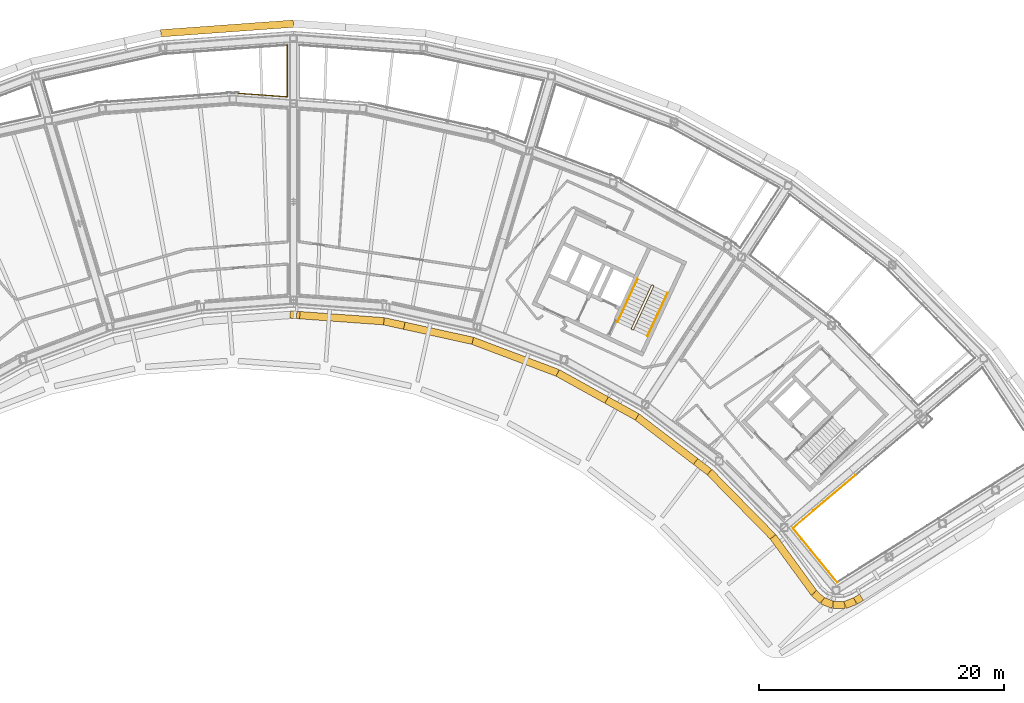
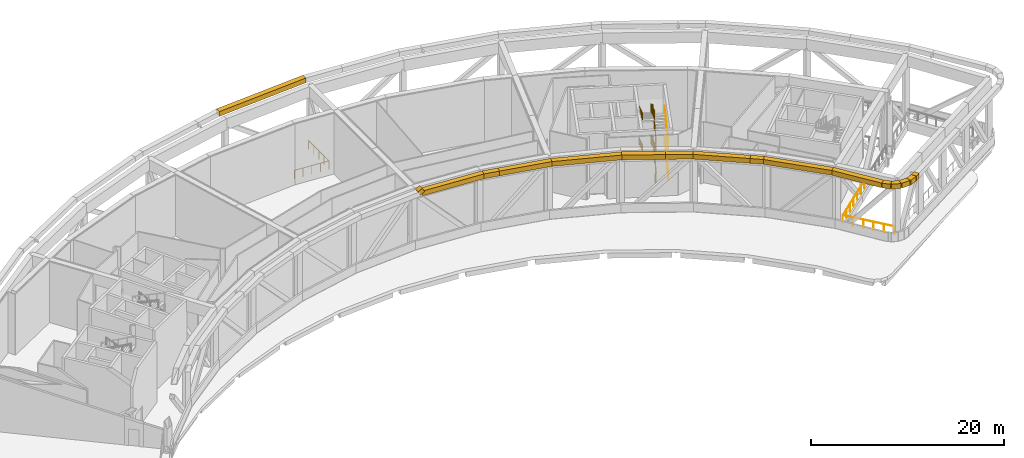
# One storey, part 23 of 27: 17 coverings, 8 railings.
"""IFC4 building model written with IfcOpenShell, lengths in metres."""

import ifcopenshell
import ifcopenshell.guid

model = None  # the IFC model being written
_history = None  # IfcOwnerHistory: only IFC2X3 demands one
_inside = {}  # id of a spatial element -> (the spatial element, [elements in it])
_under = {}  # id of a project, library or spatial element -> (it, [spatial elements below it])
_declared = {}  # id of a project -> (the project, [libraries it declares])
_typed = {}  # id of a type object -> (the type object, [elements of that type])
_made_of = {}  # id of a material, layer set ... -> (it, [elements and type objects made of it])


def new_model(schema):
    """Start an empty IFC model of exactly this schema.

    Asked for "IFC4X3", IfcOpenShell would pick the latest addendum, in which some entities
    have other attributes; the version numbers below select the first issue.
    IFC2X3 requires an IfcOwnerHistory on every rooted entity: one is made here for all.
    """
    global model, _history
    if schema == "IFC4X3":
        model = ifcopenshell.file(schema_version=(4, 3, 0, 0))
    else:
        model = ifcopenshell.file(schema=schema)
    _inside.clear()
    _under.clear()
    _declared.clear()
    _typed.clear()
    _made_of.clear()
    _history = None
    if model.schema == "IFC2X3":
        org = make("IfcOrganization", Name="unknown")
        user = make(
            "IfcPersonAndOrganization",
            ThePerson=make("IfcPerson", FamilyName="unknown"),
            TheOrganization=org,
        )
        app = make(
            "IfcApplication",
            ApplicationDeveloper=org,
            Version="unknown",
            ApplicationFullName="unknown",
            ApplicationIdentifier="unknown",
        )
        _history = make(
            "IfcOwnerHistory",
            OwningUser=user,
            OwningApplication=app,
            ChangeAction="ADDED",
            CreationDate=0,
        )
    return model


def make(cls, **values):
    """One entity of the class cls with the attributes given. An attribute that is None is left unset."""
    return model.create_entity(
        cls, **{name: value for name, value in values.items() if value is not None}
    )


def rooted(cls, **values):
    """An entity with a GlobalId (a new one), such as an element, a storey or a relation."""
    return make(cls, GlobalId=ifcopenshell.guid.new(), OwnerHistory=_history, **values)


def si_unit(unit_type, name, prefix=None):
    """IfcSIUnit, for example si_unit("LENGTHUNIT", "METRE", prefix="MILLI")."""
    return make("IfcSIUnit", UnitType=unit_type, Prefix=prefix, Name=name)


def assignment(units):
    """IfcUnitAssignment: the units of a project."""
    return None if units is None else make("IfcUnitAssignment", Units=units)


def point(xyz):
    """IfcCartesianPoint."""
    return None if xyz is None else make("IfcCartesianPoint", Coordinates=xyz)


def direction(xyz):
    """IfcDirection."""
    return None if xyz is None else make("IfcDirection", DirectionRatios=xyz)


def frame(location, z_axis=None, x_axis=None):
    """IfcAxis2Placement3D, a coordinate frame: its origin and axes. An axis left out is left unset."""
    return make(
        "IfcAxis2Placement3D",
        Location=point(location),
        Axis=direction(z_axis),
        RefDirection=direction(x_axis),
    )


def frame_2d(location, x_axis=None):
    """IfcAxis2Placement2D, a coordinate frame in the plane: its origin and x axis."""
    return make(
        "IfcAxis2Placement2D", Location=point(location), RefDirection=direction(x_axis)
    )


def origin():
    """The frame at (0, 0, 0) with its axes left unset."""
    return frame((0.0, 0.0, 0.0))


def origin_2d():
    """The frame at (0, 0) in the plane with its x axis left unset."""
    return frame_2d((0.0, 0.0))


def place(relative_to, where):
    """IfcLocalPlacement: puts the frame where relative to a parent placement (None: the world)."""
    return make(
        "IfcLocalPlacement", PlacementRelTo=relative_to, RelativePlacement=where
    )


def context(
    kind, dimensions, precision=None, world=None, true_north=None, identifier=None
):
    """IfcGeometricRepresentationContext, for example the 3D "Model" context."""
    return make(
        "IfcGeometricRepresentationContext",
        ContextIdentifier=identifier,
        ContextType=kind,
        CoordinateSpaceDimension=dimensions,
        Precision=precision,
        WorldCoordinateSystem=world,
        TrueNorth=true_north,
    )


def subcontext(parent, identifier, kind, view, scale=None):
    """IfcGeometricRepresentationSubContext, for example "Body" below "Model"."""
    return make(
        "IfcGeometricRepresentationSubContext",
        ContextIdentifier=identifier,
        ContextType=kind,
        ParentContext=parent,
        TargetScale=scale,
        TargetView=view,
    )


def project(units=None, contexts=None):
    """IfcProject with its units and contexts."""
    return rooted(
        "IfcProject",
        Name="project",
        RepresentationContexts=contexts,
        UnitsInContext=assignment(units),
    )


def spatial(cls, under=None, at=None, **own):
    """A site, building, storey or space (cls), placed at a placement, below another one or the project."""
    s = rooted(cls, ObjectPlacement=at, **own)
    if under is not None:
        _under.setdefault(under.id(), (under, []))[1].append(s)
    return s


def profile(cls, at=None, kind="AREA", **sizes):
    """A parametric profile (cls). Its sizes go by their IFC names, for example OverallWidth=200.0."""
    return make(cls, ProfileType=kind, Position=at, **sizes)


def rectangle(**sizes):
    """IfcRectangleProfileDef."""
    return profile("IfcRectangleProfileDef", **sizes)


def circle(**sizes):
    """IfcCircleProfileDef."""
    return profile("IfcCircleProfileDef", **sizes)


def extrude(swept, where, along, depth):
    """IfcExtrudedAreaSolid: the profile swept, set in the frame where, extruded along a direction by depth."""
    return make(
        "IfcExtrudedAreaSolid",
        SweptArea=swept,
        Position=where,
        ExtrudedDirection=direction(along),
        Depth=depth,
    )


def shape(context_of_items, identifier, shape_type, items):
    """IfcShapeRepresentation: the items that make up one representation, for example the "Body"."""
    return make(
        "IfcShapeRepresentation",
        ContextOfItems=context_of_items,
        RepresentationIdentifier=identifier,
        RepresentationType=shape_type,
        Items=items,
    )


def material(Name=None, Category=None):
    """IfcMaterial."""
    return make("IfcMaterial", Name=Name, Category=Category)


def material_profile(
    of_material, cross_section, Name=None, Category=None, Priority=None
):
    """IfcMaterialProfile: a cross section and its material."""
    return make(
        "IfcMaterialProfile",
        Name=Name,
        Material=of_material,
        Profile=cross_section,
        Priority=Priority,
        Category=Category,
    )


def profile_set(profiles, Name=None, composite=None):
    """IfcMaterialProfileSet."""
    return make(
        "IfcMaterialProfileSet",
        Name=Name,
        MaterialProfiles=profiles,
        CompositeProfile=composite,
    )


def made_of(thing, what):
    """Note that an element or type object is made of a material, layer set ...; save() writes the relation."""
    if what is not None:
        _made_of.setdefault(what.id(), (what, []))[1].append(thing)
    return thing


def type_object(cls, material=None, **own):
    """A type object (cls), such as IfcWallType, which elements share."""
    return made_of(rooted(cls, **own), material)


def element(
    cls,
    number,
    at=None,
    inside=None,
    cuts=None,
    type_object=None,
    material=None,
    context=None,
    identifier="Body",
    shape_type=None,
    held_by="IfcProductDefinitionShape",
    body=None,
    shapes=None,
    **own,
):
    """One element of the class cls, such as IfcWall. Its Tag is "e" and its number.

    at: its placement. inside: the storey or other place that contains it. cuts: it is an
    opening in that element (IfcRelVoidsElement). A single representation is given by context,
    identifier, shape_type and body (its items); several are given by shapes. held_by: the class
    of the entity that holds the representations. save() writes the other relations.
    """
    e = rooted(cls, Tag="e%d" % number, ObjectPlacement=at, **own)
    if body is not None:
        shapes = [shape(context, identifier, shape_type, body)]
    if shapes is not None:
        e.Representation = make(held_by, Representations=shapes)
    if inside is not None:
        _inside.setdefault(inside.id(), (inside, []))[1].append(e)
    if cuts is not None:
        rooted(
            "IfcRelVoidsElement", RelatingBuildingElement=cuts, RelatedOpeningElement=e
        )
    if type_object is not None:
        _typed.setdefault(type_object.id(), (type_object, []))[1].append(e)
    return made_of(e, material)


def aggregate(whole, parts):
    """IfcRelAggregates: a whole, such as a stair, and the parts it consists of."""
    return rooted("IfcRelAggregates", RelatingObject=whole, RelatedObjects=parts)


def save(model, path):
    """Write the relations noted so far, then the file.

    IfcRelAggregates (storeys below a building ...), IfcRelContainedInSpatialStructure (elements
    in a storey), IfcRelDefinesByType, IfcRelAssociatesMaterial and IfcRelDeclares: one each for
    every whole, place, type object, material and project.
    """
    for whole, parts in _under.values():
        aggregate(whole, parts)
    for where, things in _inside.values():
        rooted(
            "IfcRelContainedInSpatialStructure",
            RelatedElements=things,
            RelatingStructure=where,
        )
    for kind, things in _typed.values():
        rooted("IfcRelDefinesByType", RelatedObjects=things, RelatingType=kind)
    for what, things in _made_of.values():
        rooted("IfcRelAssociatesMaterial", RelatedObjects=things, RelatingMaterial=what)
    for by, libraries in _declared.values():
        rooted("IfcRelDeclares", RelatingContext=by, RelatedDefinitions=libraries)
    model.write(path)


model = new_model("IFC4")

# Units and contexts
model_context = context("Model", 3, precision=1e-05, world=origin(), true_north=direction((0.0, 1.0)))
body_context = subcontext(model_context, "Body", "Model", "MODEL_VIEW")
ifc_project = project(units=[si_unit("LENGTHUNIT", "METRE"), si_unit("AREAUNIT", "SQUARE_METRE"), si_unit("VOLUMEUNIT", "CUBIC_METRE"), si_unit("PLANEANGLEUNIT", "RADIAN"), si_unit("MASSUNIT", "GRAM", prefix="KILO")], contexts=[model_context])

# Site, building, storey
site_placement = place(None, origin())
site = spatial("IfcSite", under=ifc_project, at=site_placement, CompositionType="ELEMENT")
building_placement = place(site_placement, origin())
building = spatial("IfcBuilding", under=site, at=building_placement, Name="Tuul Gate Civic Tower", CompositionType="ELEMENT")
storey_placement = place(building_placement, frame((0.0, 0.0, 201.5)))
storey = spatial("IfcBuildingStorey", under=building, at=storey_placement, Name="Wind floor 1", CompositionType="ELEMENT", Elevation=201.5)

# Railings
ifc_material_1 = material(Name="Painted steel", Category="steel")
railing_type_1 = type_object("IfcRailingType", Name="Slot guard", PredefinedType="GUARDRAIL", material=ifc_material_1)
railing_1_placement = place(storey_placement, frame((1.45751953125, 14.08349609375, 0.0)))
element("IfcRailing", 1, at=railing_1_placement, inside=storey, type_object=railing_type_1, Name="Guard", PredefinedType="GUARDRAIL", context=body_context, shape_type="SweptSolid", body=[
    extrude(circle(Radius=0.02392578125, at=origin_2d()), frame((0.0, 0.0, 1.076171875), z_axis=(0.997380514411, -0.072333322005, 0.0), x_axis=(0.072333322005, 0.997380514411, 0.0)), (0.0, 0.0, 1.0), 3.992919921875),
    extrude(circle(Radius=0.02392578125, at=origin_2d()), frame((3.982421875, -0.288818359375, 1.076171875), z_axis=(0.0, 1.0, 0.0), x_axis=(-1.0, 0.0, 0.0)), (0.0, 0.0, 1.0), 4.23291015625),
    extrude(circle(Radius=0.02099609375, at=origin_2d()), origin(), (0.0, 0.0, 1.0), 1.052001953125),
    extrude(circle(Radius=0.02099609375, at=origin_2d()), frame((0.99560546875, -0.072265625, 0.0)), (0.0, 0.0, 1.0), 1.052001953125),
    extrude(circle(Radius=0.02099609375, at=origin_2d()), frame((1.9912109375, -0.14453125, 0.0)), (0.0, 0.0, 1.0), 1.052001953125),
    extrude(circle(Radius=0.02099609375, at=origin_2d()), frame((2.98681640625, -0.216552734375, 0.0)), (0.0, 0.0, 1.0), 1.052001953125),
    extrude(circle(Radius=0.02099609375, at=origin_2d()), frame((3.982421875, -0.288818359375, 0.0)), (0.0, 0.0, 1.0), 1.052001953125),
    extrude(circle(Radius=0.02099609375, at=origin_2d()), frame((3.982421875, 0.76953125, 0.0)), (0.0, 0.0, 1.0), 1.052001953125),
    extrude(circle(Radius=0.02099609375, at=origin_2d()), frame((3.982421875, 1.82763671875, 0.0)), (0.0, 0.0, 1.0), 1.052001953125),
    extrude(circle(Radius=0.02099609375, at=origin_2d()), frame((3.982421875, 2.8857421875, 0.0)), (0.0, 0.0, 1.0), 1.052001953125),
    extrude(circle(Radius=0.02099609375, at=origin_2d()), frame((3.982421875, 3.944091796875, 0.0)), (0.0, 0.0, 1.0), 1.052001953125),
])
railing_2_placement = place(storey_placement, frame((51.8232421875, -17.09619140625, 0.0)))
element("IfcRailing", 2, at=railing_2_placement, inside=storey, type_object=railing_type_1, Name="Guard", PredefinedType="GUARDRAIL", context=body_context, shape_type="SweptSolid", body=[
    extrude(circle(Radius=0.02392578125, at=origin_2d()), frame((0.0, 0.0, 1.076171875), z_axis=(-0.762828176883, -0.646601246947, 0.0), x_axis=(0.646601246947, -0.762828176883, 0.0)), (0.0, 0.0, 1.0), 6.690185546875),
    extrude(circle(Radius=0.02099609375, at=origin_2d()), origin(), (0.0, 0.0, 1.0), 1.052001953125),
    extrude(circle(Radius=0.02099609375, at=origin_2d()), frame((-0.8505859375, -0.720947265625, 0.0)), (0.0, 0.0, 1.0), 1.052001953125),
    extrude(circle(Radius=0.02099609375, at=origin_2d()), frame((-1.701171875, -1.44189453125, 0.0)), (0.0, 0.0, 1.0), 1.052001953125),
    extrude(circle(Radius=0.02099609375, at=origin_2d()), frame((-2.5517578125, -2.1630859375, 0.0)), (0.0, 0.0, 1.0), 1.052001953125),
    extrude(circle(Radius=0.02099609375, at=origin_2d()), frame((-3.40234375, -2.884033203125, 0.0)), (0.0, 0.0, 1.0), 1.052001953125),
    extrude(circle(Radius=0.02099609375, at=origin_2d()), frame((-4.2529296875, -3.60498046875, 0.0)), (0.0, 0.0, 1.0), 1.052001953125),
    extrude(circle(Radius=0.02099609375, at=origin_2d()), frame((-5.103515625, -4.325927734375, 0.0)), (0.0, 0.0, 1.0), 1.052001953125),
])
railing_3_placement = place(storey_placement, frame((46.7197265625, -21.422119140625, 0.0)))
element("IfcRailing", 3, at=railing_3_placement, inside=storey, type_object=railing_type_1, Name="Guard", PredefinedType="GUARDRAIL", context=body_context, shape_type="SweptSolid", body=[
    extrude(circle(Radius=0.02392578125, at=origin_2d()), frame((0.0, 0.0, 1.076171875), z_axis=(0.634371561759, -0.773028279969, 0.0), x_axis=(0.773028279969, 0.634371561759, 0.0)), (0.0, 0.0, 1.0), 5.718994140625),
    extrude(circle(Radius=0.02099609375, at=origin_2d()), origin(), (0.0, 0.0, 1.0), 1.052001953125),
    extrude(circle(Radius=0.02099609375, at=origin_2d()), frame((0.7255859375, -0.88427734375, 0.0)), (0.0, 0.0, 1.0), 1.052001953125),
    extrude(circle(Radius=0.02099609375, at=origin_2d()), frame((1.451171875, -1.768310546875, 0.0)), (0.0, 0.0, 1.0), 1.052001953125),
    extrude(circle(Radius=0.02099609375, at=origin_2d()), frame((2.1767578125, -2.652587890625, 0.0)), (0.0, 0.0, 1.0), 1.052001953125),
    extrude(circle(Radius=0.02099609375, at=origin_2d()), frame((2.90234375, -3.53662109375, 0.0)), (0.0, 0.0, 1.0), 1.052001953125),
    extrude(circle(Radius=0.02099609375, at=origin_2d()), frame((3.6279296875, -4.4208984375, 0.0)), (0.0, 0.0, 1.0), 1.052001953125),
])
ifc_material_2 = material(Name="Painted steel", Category="steel")
railing_type_2 = type_object("IfcRailingType", Name="Stair guard", PredefinedType="GUARDRAIL", material=ifc_material_2)
railing_4_placement = place(storey_placement, frame((33.645751953125, -5.238525390625, 0.0)))
element("IfcRailing", 4, at=railing_4_placement, inside=storey, type_object=railing_type_2, Name="Wind floor 1 ST-4 stair guard 1", PredefinedType="GUARDRAIL", context=body_context, shape_type="SweptSolid", body=[
    extrude(circle(Radius=0.02392578125, at=origin_2d()), frame((0.0, 0.0, 1.076171875), z_axis=(-0.906307919131, 0.422617978463, 0.0), x_axis=(-0.422617978463, -0.906307919131, 0.0)), (0.0, 0.0, 1.0), 0.099853515625),
    extrude(circle(Radius=0.02392578125, at=origin_2d()), frame((-0.090576171875, 0.042236328125, 1.076171875), z_axis=(0.737014185755, -0.084819673011, 0.670533901504), x_axis=(0.114330889033, 0.993442724979, 0.0)), (0.0, 0.0, 1.0), 0.212890625),
    extrude(circle(Radius=0.02392578125, at=origin_2d()), frame((0.06640625, 0.024169921875, 1.21875), z_axis=(0.381507307837, 0.818290785608, 0.429944606031), x_axis=(-0.906336612539, 0.422556439746, 0.0)), (0.0, 0.0, 1.0), 4.319580078125),
    extrude(circle(Radius=0.02392578125, at=origin_2d()), frame((1.71435546875, 3.558837890625, 3.076171875), z_axis=(-0.342020437038, 0.939692513883, 0.0), x_axis=(-0.939692513883, -0.342020437038, 0.0)), (0.0, 0.0, 1.0), 0.070556640625),
    extrude(circle(Radius=0.02392578125, at=origin_2d()), frame((1.690185546875, 3.625244140625, 3.076171875), z_axis=(-0.906307919131, 0.422617978463, 0.0), x_axis=(-0.422617978463, -0.906307919131, 0.0)), (0.0, 0.0, 1.0), 0.099853515625),
    extrude(circle(Radius=0.02392578125, at=origin_2d()), frame((1.599609375, 3.66748046875, 3.076171875), z_axis=(-0.416734069648, -0.151678944468, 0.896284671854), x_axis=(0.342020437038, -0.939692513883, 0.0)), (0.0, 0.0, 1.0), 0.159423828125),
    extrude(circle(Radius=0.02392578125, at=origin_2d()), frame((1.533203125, 3.643310546875, 3.21875), z_axis=(-0.381507307837, -0.818290785608, 0.429944606031), x_axis=(0.906336612539, -0.422556439746, 0.0)), (0.0, 0.0, 1.0), 4.319580078125),
    extrude(circle(Radius=0.02392578125, at=origin_2d()), frame((-0.11474609375, 0.108642578125, 5.076171875), z_axis=(0.726155646563, -0.687530346214, 0.0), x_axis=(0.687530346214, 0.726155646563, 0.0)), (0.0, 0.0, 1.0), 0.157958984375),
    extrude(circle(Radius=0.02392578125, at=origin_2d()), frame((0.0, 0.0, 5.076171875), z_axis=(-0.906307919131, 0.422617978463, 0.0), x_axis=(-0.422617978463, -0.906307919131, 0.0)), (0.0, 0.0, 1.0), 0.099853515625),
    extrude(circle(Radius=0.02392578125, at=origin_2d()), frame((-0.090576171875, 0.042236328125, 5.076171875), z_axis=(0.737014185755, -0.084819673011, 0.670533901504), x_axis=(0.114330889033, 0.993442724979, 0.0)), (0.0, 0.0, 1.0), 0.212890625),
    extrude(circle(Radius=0.02392578125, at=origin_2d()), frame((0.06640625, 0.024169921875, 5.21875), z_axis=(0.381507307837, 0.818290785608, 0.429944606031), x_axis=(-0.906336612539, 0.422556439746, 0.0)), (0.0, 0.0, 1.0), 4.319580078125),
    extrude(circle(Radius=0.02392578125, at=origin_2d()), frame((1.71435546875, 3.558837890625, 7.076171875), z_axis=(-0.342020437038, 0.939692513883, 0.0), x_axis=(-0.939692513883, -0.342020437038, 0.0)), (0.0, 0.0, 1.0), 0.070556640625),
    extrude(circle(Radius=0.02392578125, at=origin_2d()), frame((1.690185546875, 3.625244140625, 7.076171875), z_axis=(-0.906307919131, 0.422617978463, 0.0), x_axis=(-0.422617978463, -0.906307919131, 0.0)), (0.0, 0.0, 1.0), 0.099853515625),
    extrude(circle(Radius=0.02392578125, at=origin_2d()), frame((1.599609375, 3.66748046875, 7.076171875), z_axis=(-0.416734069648, -0.151678944468, 0.896284671854), x_axis=(0.342020437038, -0.939692513883, 0.0)), (0.0, 0.0, 1.0), 0.159423828125),
    extrude(circle(Radius=0.02392578125, at=origin_2d()), frame((1.533203125, 3.643310546875, 7.21875), z_axis=(-0.381507307837, -0.818290785608, 0.429944606031), x_axis=(0.906336612539, -0.422556439746, 0.0)), (0.0, 0.0, 1.0), 4.319580078125),
    extrude(circle(Radius=0.02099609375, at=origin_2d()), origin(), (0.0, 0.0, 1.0), 1.052001953125),
    extrude(circle(Radius=0.02099609375, at=origin_2d()), frame((-0.090576171875, 0.042236328125, 0.0)), (0.0, 0.0, 1.0), 1.052001953125),
    extrude(circle(Radius=0.02099609375, at=origin_2d()), frame((0.06640625, 0.024169921875, 0.142822265625)), (0.0, 0.0, 1.0), 1.052001953125),
    extrude(circle(Radius=0.02099609375, at=origin_2d()), frame((0.478515625, 0.90771484375, 0.607177734375)), (0.0, 0.0, 1.0), 1.052001953125),
    extrude(circle(Radius=0.02099609375, at=origin_2d()), frame((0.890380859375, 1.79150390625, 1.0712890625)), (0.0, 0.0, 1.0), 1.052001953125),
    extrude(circle(Radius=0.02099609375, at=origin_2d()), frame((1.30224609375, 2.67529296875, 1.53564453125)), (0.0, 0.0, 1.0), 1.052001953125),
    extrude(circle(Radius=0.02099609375, at=origin_2d()), frame((1.71435546875, 3.558837890625, 2.0)), (0.0, 0.0, 1.0), 1.052001953125),
    extrude(circle(Radius=0.02099609375, at=origin_2d()), frame((1.690185546875, 3.625244140625, 2.0)), (0.0, 0.0, 1.0), 1.052001953125),
    extrude(circle(Radius=0.02099609375, at=origin_2d()), frame((1.599609375, 3.66748046875, 2.0)), (0.0, 0.0, 1.0), 1.052001953125),
    extrude(circle(Radius=0.02099609375, at=origin_2d()), frame((1.533203125, 3.643310546875, 2.142822265625)), (0.0, 0.0, 1.0), 1.052001953125),
    extrude(circle(Radius=0.02099609375, at=origin_2d()), frame((1.12109375, 2.759765625, 2.607177734375)), (0.0, 0.0, 1.0), 1.052001953125),
    extrude(circle(Radius=0.02099609375, at=origin_2d()), frame((0.709228515625, 1.8759765625, 3.0712890625)), (0.0, 0.0, 1.0), 1.052001953125),
    extrude(circle(Radius=0.02099609375, at=origin_2d()), frame((0.29736328125, 0.9921875, 3.53564453125)), (0.0, 0.0, 1.0), 1.052001953125),
    extrude(circle(Radius=0.02099609375, at=origin_2d()), frame((-0.11474609375, 0.108642578125, 4.0)), (0.0, 0.0, 1.0), 1.052001953125),
    extrude(circle(Radius=0.02099609375, at=origin_2d()), frame((0.0, 0.0, 4.0)), (0.0, 0.0, 1.0), 1.052001953125),
    extrude(circle(Radius=0.02099609375, at=origin_2d()), frame((-0.090576171875, 0.042236328125, 4.0)), (0.0, 0.0, 1.0), 1.052001953125),
    extrude(circle(Radius=0.02099609375, at=origin_2d()), frame((0.06640625, 0.024169921875, 4.142822265625)), (0.0, 0.0, 1.0), 1.052001953125),
    extrude(circle(Radius=0.02099609375, at=origin_2d()), frame((0.478515625, 0.90771484375, 4.607177734375)), (0.0, 0.0, 1.0), 1.052001953125),
    extrude(circle(Radius=0.02099609375, at=origin_2d()), frame((0.890380859375, 1.79150390625, 5.0712890625)), (0.0, 0.0, 1.0), 1.052001953125),
    extrude(circle(Radius=0.02099609375, at=origin_2d()), frame((1.30224609375, 2.67529296875, 5.53564453125)), (0.0, 0.0, 1.0), 1.052001953125),
    extrude(circle(Radius=0.02099609375, at=origin_2d()), frame((1.71435546875, 3.558837890625, 6.0)), (0.0, 0.0, 1.0), 1.052001953125),
    extrude(circle(Radius=0.02099609375, at=origin_2d()), frame((1.690185546875, 3.625244140625, 6.0)), (0.0, 0.0, 1.0), 1.052001953125),
    extrude(circle(Radius=0.02099609375, at=origin_2d()), frame((1.599609375, 3.66748046875, 6.0)), (0.0, 0.0, 1.0), 1.052001953125),
    extrude(circle(Radius=0.02099609375, at=origin_2d()), frame((1.533203125, 3.643310546875, 6.142822265625)), (0.0, 0.0, 1.0), 1.052001953125),
    extrude(circle(Radius=0.02099609375, at=origin_2d()), frame((1.12109375, 2.759765625, 6.607177734375)), (0.0, 0.0, 1.0), 1.052001953125),
    extrude(circle(Radius=0.02099609375, at=origin_2d()), frame((0.709228515625, 1.8759765625, 7.0712890625)), (0.0, 0.0, 1.0), 1.052001953125),
    extrude(circle(Radius=0.02099609375, at=origin_2d()), frame((0.29736328125, 0.9921875, 7.53564453125)), (0.0, 0.0, 1.0), 1.052001953125),
    extrude(circle(Radius=0.02099609375, at=origin_2d()), frame((-0.11474609375, 0.108642578125, 8.0)), (0.0, 0.0, 1.0), 1.052001953125),
])
ifc_material_3 = material(Name="Painted steel", Category="steel")
railing_type_3 = type_object("IfcRailingType", Name="Stair handrail", PredefinedType="HANDRAIL", material=ifc_material_3)
railing_5_placement = place(storey_placement, frame((34.844970703125, -5.74267578125, 0.142822265625)))
element("IfcRailing", 5, at=railing_5_placement, inside=storey, type_object=railing_type_3, Name="Wind floor 1 ST-4 stair handrail 1", PredefinedType="HANDRAIL", context=body_context, shape_type="SweptSolid", body=[
    extrude(circle(Radius=0.02392578125, at=origin_2d()), frame((0.0, 0.0, 0.8759765625), z_axis=(0.381555599571, 0.818273140362, 0.429935334904), x_axis=(-0.906312636903, 0.422607861012, 0.0)), (0.0, 0.0, 1.0), 4.319580078125),
    extrude(circle(Radius=0.02099609375, at=origin_2d()), origin(), (0.0, 0.0, 1.0), 0.851806640625),
    extrude(circle(Radius=0.02099609375, at=origin_2d()), frame((0.412109375, 0.8837890625, 0.46435546875)), (0.0, 0.0, 1.0), 0.851806640625),
    extrude(circle(Radius=0.02099609375, at=origin_2d()), frame((0.82421875, 1.767333984375, 0.9287109375)), (0.0, 0.0, 1.0), 0.851806640625),
    extrude(circle(Radius=0.02099609375, at=origin_2d()), frame((1.236083984375, 2.65087890625, 1.392822265625)), (0.0, 0.0, 1.0), 0.851806640625),
    extrude(circle(Radius=0.02099609375, at=origin_2d()), frame((1.648193359375, 3.53466796875, 1.857177734375)), (0.0, 0.0, 1.0), 0.851806640625),
])
railing_6_placement = place(storey_placement, frame((34.046142578125, -1.06689453125, 2.142822265625)))
element("IfcRailing", 6, at=railing_6_placement, inside=storey, type_object=railing_type_3, Name="Wind floor 1 ST-4 stair handrail 2", PredefinedType="HANDRAIL", context=body_context, shape_type="SweptSolid", body=[
    extrude(circle(Radius=0.02392578125, at=origin_2d()), frame((0.0, 0.0, 0.8759765625), z_axis=(-0.381555599571, -0.818273140362, 0.429935334904), x_axis=(0.906312636903, -0.422607861012, 0.0)), (0.0, 0.0, 1.0), 4.319580078125),
    extrude(circle(Radius=0.02099609375, at=origin_2d()), origin(), (0.0, 0.0, 1.0), 0.851806640625),
    extrude(circle(Radius=0.02099609375, at=origin_2d()), frame((-0.412109375, -0.8837890625, 0.46435546875)), (0.0, 0.0, 1.0), 0.851806640625),
    extrude(circle(Radius=0.02099609375, at=origin_2d()), frame((-0.82421875, -1.767333984375, 0.9287109375)), (0.0, 0.0, 1.0), 0.851806640625),
    extrude(circle(Radius=0.02099609375, at=origin_2d()), frame((-1.236083984375, -2.65087890625, 1.392822265625)), (0.0, 0.0, 1.0), 0.851806640625),
    extrude(circle(Radius=0.02099609375, at=origin_2d()), frame((-1.648193359375, -3.53466796875, 1.857177734375)), (0.0, 0.0, 1.0), 0.851806640625),
])
railing_7_placement = place(storey_placement, frame((34.844970703125, -5.74267578125, 4.142822265625)))
element("IfcRailing", 7, at=railing_7_placement, inside=storey, type_object=railing_type_3, Name="Wind floor 1 ST-4 stair handrail 3", PredefinedType="HANDRAIL", context=body_context, shape_type="SweptSolid", body=[
    extrude(circle(Radius=0.02392578125, at=origin_2d()), frame((0.0, 0.0, 0.8759765625), z_axis=(0.381555599571, 0.818273140362, 0.429935334904), x_axis=(-0.906312636903, 0.422607861012, 0.0)), (0.0, 0.0, 1.0), 4.319580078125),
    extrude(circle(Radius=0.02099609375, at=origin_2d()), origin(), (0.0, 0.0, 1.0), 0.851806640625),
    extrude(circle(Radius=0.02099609375, at=origin_2d()), frame((0.412109375, 0.8837890625, 0.46435546875)), (0.0, 0.0, 1.0), 0.851806640625),
    extrude(circle(Radius=0.02099609375, at=origin_2d()), frame((0.82421875, 1.767333984375, 0.9287109375)), (0.0, 0.0, 1.0), 0.851806640625),
    extrude(circle(Radius=0.02099609375, at=origin_2d()), frame((1.236083984375, 2.65087890625, 1.392822265625)), (0.0, 0.0, 1.0), 0.851806640625),
    extrude(circle(Radius=0.02099609375, at=origin_2d()), frame((1.648193359375, 3.53466796875, 1.857177734375)), (0.0, 0.0, 1.0), 0.851806640625),
])
railing_8_placement = place(storey_placement, frame((34.046142578125, -1.06689453125, 6.142822265625)))
element("IfcRailing", 8, at=railing_8_placement, inside=storey, type_object=railing_type_3, Name="Wind floor 1 ST-4 stair handrail 4", PredefinedType="HANDRAIL", context=body_context, shape_type="SweptSolid", body=[
    extrude(circle(Radius=0.02392578125, at=origin_2d()), frame((0.0, 0.0, 0.8759765625), z_axis=(-0.381555599571, -0.818273140362, 0.429935334904), x_axis=(0.906312636903, -0.422607861012, 0.0)), (0.0, 0.0, 1.0), 4.319580078125),
    extrude(circle(Radius=0.02099609375, at=origin_2d()), origin(), (0.0, 0.0, 1.0), 0.851806640625),
    extrude(circle(Radius=0.02099609375, at=origin_2d()), frame((-0.412109375, -0.8837890625, 0.46435546875)), (0.0, 0.0, 1.0), 0.851806640625),
    extrude(circle(Radius=0.02099609375, at=origin_2d()), frame((-0.82421875, -1.767333984375, 0.9287109375)), (0.0, 0.0, 1.0), 0.851806640625),
    extrude(circle(Radius=0.02099609375, at=origin_2d()), frame((-1.236083984375, -2.65087890625, 1.392822265625)), (0.0, 0.0, 1.0), 0.851806640625),
    extrude(circle(Radius=0.02099609375, at=origin_2d()), frame((-1.648193359375, -3.53466796875, 1.857177734375)), (0.0, 0.0, 1.0), 0.851806640625),
])

# Coverings
ifc_material_4 = material(Name="Terracotta baguette", Category="masonry")
ifc_material_profile = material_profile(ifc_material_4, rectangle(XDim=0.60009765625, YDim=0.60009765625, at=origin_2d()), Name="Terracotta baguette screen frame")
ifc_profile_set = profile_set([ifc_material_profile], Name="Terracotta baguette")
covering_type = type_object("IfcCoveringType", Name="Terracotta baguette screen frame", PredefinedType="CLADDING", material=ifc_profile_set)
covering_1_placement = place(storey_placement, frame((5.93994140625, -3.993896484375, 8.147705078125), z_axis=(0.465086251389, -0.033840230978, -0.884618345693), x_axis=(0.072569349598, 0.997363368837, 0.0)))
element("IfcCovering", 9, at=covering_1_placement, inside=storey, type_object=covering_type, Name="Baguette 213", PredefinedType="CLADDING", context=body_context, shape_type="SweptSolid", body=[
    extrude(rectangle(XDim=0.60009765625, YDim=0.60009765625, at=origin_2d()), origin(), (0.0, 0.0, 1.0), 0.562744140625),
])
covering_2_placement = place(storey_placement, frame((6.20166015625, -4.012939453125, 7.64990234375), z_axis=(0.997395442814, -0.072127183871, 0.0), x_axis=(0.072127183871, 0.997395442814, 0.0)))
element("IfcCovering", 10, at=covering_2_placement, inside=storey, type_object=covering_type, Name="Baguette 220", PredefinedType="CLADDING", context=body_context, shape_type="SweptSolid", body=[
    extrude(rectangle(XDim=0.60009765625, YDim=0.60009765625, at=origin_2d()), origin(), (0.0, 0.0, 1.0), 7.155517578125),
])
covering_3_placement = place(storey_placement, frame((13.338623046875, -4.529052734375, 7.64990234375), z_axis=(0.976544694518, -0.215314791894, 0.0), x_axis=(0.215314791894, 0.976544694518, 0.0)))
element("IfcCovering", 11, at=covering_3_placement, inside=storey, type_object=covering_type, Name="Baguette 221", PredefinedType="CLADDING", context=body_context, shape_type="SweptSolid", body=[
    extrude(rectangle(XDim=0.60009765625, YDim=0.60009765625, at=origin_2d()), origin(), (0.0, 0.0, 1.0), 1.6962890625),
])
covering_4_placement = place(storey_placement, frame((31.51318359375, -10.962158203125, 7.64990234375), z_axis=(0.87458876364, -0.484865439596, 0.0), x_axis=(0.484865439596, 0.87458876364, 0.0)))
element("IfcCovering", 12, at=covering_4_placement, inside=storey, type_object=covering_type, Name="Baguette 240", PredefinedType="CLADDING", context=body_context, shape_type="SweptSolid", body=[
    extrude(rectangle(XDim=0.60009765625, YDim=0.60009765625, at=origin_2d()), origin(), (0.0, 0.0, 1.0), 2.853515625),
])
covering_5_placement = place(storey_placement, frame((34.0087890625, -12.345703125, 7.64990234375), z_axis=(0.795587724937, -0.605838404138, 0.0), x_axis=(0.605838404138, 0.795587724937, 0.0)))
element("IfcCovering", 13, at=covering_5_placement, inside=storey, type_object=covering_type, Name="Baguette 241", PredefinedType="CLADDING", context=body_context, shape_type="SweptSolid", body=[
    extrude(rectangle(XDim=0.60009765625, YDim=0.60009765625, at=origin_2d()), origin(), (0.0, 0.0, 1.0), 5.998291015625),
])
covering_6_placement = place(storey_placement, frame((5.93994140625, 19.76904296875, 7.64990234375), z_axis=(-0.997380681176, -0.072331022511, 0.0), x_axis=(0.072331022511, -0.997380681176, 0.0)))
element("IfcCovering", 14, at=covering_6_placement, inside=storey, type_object=covering_type, Name="Baguette 382", PredefinedType="CLADDING", context=body_context, shape_type="SweptSolid", body=[
    extrude(rectangle(XDim=0.60009765625, YDim=0.60009765625, at=origin_2d()), origin(), (0.0, 0.0, 1.0), 10.8515625),
])
covering_7_placement = place(storey_placement, frame((14.9951171875, -4.894287109375, 7.64990234375), z_axis=(0.97656309278, -0.215231330944, 0.0), x_axis=(0.215231330944, 0.97656309278, 0.0)))
element("IfcCovering", 15, at=covering_7_placement, inside=storey, type_object=covering_type, Name="Baguette 397", PredefinedType="CLADDING", context=body_context, shape_type="SweptSolid", body=[
    extrude(rectangle(XDim=0.60009765625, YDim=0.60009765625, at=origin_2d()), origin(), (0.0, 0.0, 1.0), 5.721435546875),
])
covering_8_placement = place(storey_placement, frame((20.58251953125, -6.125732421875, 7.64990234375), z_axis=(0.935368082117, -0.353675770951, 0.0), x_axis=(0.353675770951, 0.935368082117, 0.0)))
element("IfcCovering", 16, at=covering_8_placement, inside=storey, type_object=covering_type, Name="Baguette 398", PredefinedType="CLADDING", context=body_context, shape_type="SweptSolid", body=[
    extrude(rectangle(XDim=0.60009765625, YDim=0.60009765625, at=origin_2d()), origin(), (0.0, 0.0, 1.0), 7.41796875),
])
covering_9_placement = place(storey_placement, frame((27.52099609375, -8.749267578125, 7.64990234375), z_axis=(0.874621104425, -0.484807099468, 0.0), x_axis=(0.484807099468, 0.874621104425, 0.0)))
element("IfcCovering", 17, at=covering_9_placement, inside=storey, type_object=covering_type, Name="Baguette 399", PredefinedType="CLADDING", context=body_context, shape_type="SweptSolid", body=[
    extrude(rectangle(XDim=0.60009765625, YDim=0.60009765625, at=origin_2d()), origin(), (0.0, 0.0, 1.0), 4.564453125),
])
covering_10_placement = place(storey_placement, frame((38.781005859375, -15.979736328125, 7.64990234375), z_axis=(0.79556197919, -0.605872211995, 0.0), x_axis=(0.605872211995, 0.79556197919, 0.0)))
element("IfcCovering", 18, at=covering_10_placement, inside=storey, type_object=covering_type, Name="Baguette 400", PredefinedType="CLADDING", context=body_context, shape_type="SweptSolid", body=[
    extrude(rectangle(XDim=0.60009765625, YDim=0.60009765625, at=origin_2d()), origin(), (0.0, 0.0, 1.0), 1.419677734375),
])
covering_11_placement = place(storey_placement, frame((39.910400390625, -16.83984375, 7.64990234375), z_axis=(0.700045416035, -0.714098323404, 0.0), x_axis=(0.714098323404, 0.700045416035, 0.0)))
element("IfcCovering", 19, at=covering_11_placement, inside=storey, type_object=covering_type, Name="Baguette 401", PredefinedType="CLADDING", context=body_context, shape_type="SweptSolid", body=[
    extrude(rectangle(XDim=0.60009765625, YDim=0.60009765625, at=origin_2d()), origin(), (0.0, 0.0, 1.0), 7.418212890625),
])
covering_12_placement = place(storey_placement, frame((45.103515625, -22.13720703125, 7.64990234375), z_axis=(0.589729447422, -0.807600878432, 0.0), x_axis=(0.807600878432, 0.589729447422, 0.0)))
element("IfcCovering", 20, at=covering_12_placement, inside=storey, type_object=covering_type, Name="Baguette 402", PredefinedType="CLADDING", context=body_context, shape_type="SweptSolid", body=[
    extrude(rectangle(XDim=0.60009765625, YDim=0.60009765625, at=origin_2d()), origin(), (0.0, 0.0, 1.0), 5.671142578125),
])
covering_13_placement = place(storey_placement, frame((48.447998046875, -26.71728515625, 7.64990234375), z_axis=(0.729874818013, -0.683580829185, 0.0), x_axis=(0.683580829185, 0.729874818013, 0.0)))
element("IfcCovering", 21, at=covering_13_placement, inside=storey, type_object=covering_type, Name="Baguette 403", PredefinedType="CLADDING", context=body_context, shape_type="SweptSolid", body=[
    extrude(rectangle(XDim=0.60009765625, YDim=0.60009765625, at=origin_2d()), origin(), (0.0, 0.0, 1.0), 0.90185546875),
])
covering_14_placement = place(storey_placement, frame((49.106201171875, -27.333740234375, 7.64990234375), z_axis=(0.929477054746, -0.368879932634, 0.0), x_axis=(0.368879932634, 0.929477054746, 0.0)))
element("IfcCovering", 22, at=covering_14_placement, inside=storey, type_object=covering_type, Name="Baguette 404", PredefinedType="CLADDING", context=body_context, shape_type="SweptSolid", body=[
    extrude(rectangle(XDim=0.60009765625, YDim=0.60009765625, at=origin_2d()), origin(), (0.0, 0.0, 1.0), 0.972900390625),
])
covering_15_placement = place(storey_placement, frame((50.010498046875, -27.692626953125, 7.64990234375), z_axis=(0.999996194073, -0.002758956141, 0.0), x_axis=(0.002758956141, 0.999996194073, 0.0)))
element("IfcCovering", 23, at=covering_15_placement, inside=storey, type_object=covering_type, Name="Baguette 405", PredefinedType="CLADDING", context=body_context, shape_type="SweptSolid", body=[
    extrude(rectangle(XDim=0.60009765625, YDim=0.60009765625, at=origin_2d()), origin(), (0.0, 0.0, 1.0), 0.973388671875),
])
covering_16_placement = place(storey_placement, frame((50.98388671875, -27.6953125, 7.64990234375), z_axis=(0.93189278144, 0.362733847194, 0.0), x_axis=(-0.362733847194, 0.93189278144, 0.0)))
element("IfcCovering", 24, at=covering_16_placement, inside=storey, type_object=covering_type, Name="Baguette 406", PredefinedType="CLADDING", context=body_context, shape_type="SweptSolid", body=[
    extrude(rectangle(XDim=0.60009765625, YDim=0.60009765625, at=origin_2d()), origin(), (0.0, 0.0, 1.0), 0.901123046875),
])
covering_17_placement = place(storey_placement, frame((51.82373046875, -27.368408203125, 7.64990234375), z_axis=(0.847928550783, 0.530110528821, 0.0), x_axis=(-0.530110528821, 0.847928550783, 0.0)))
element("IfcCovering", 25, at=covering_17_placement, inside=storey, type_object=covering_type, Name="Baguette 407", PredefinedType="CLADDING", context=body_context, shape_type="SweptSolid", body=[
    extrude(rectangle(XDim=0.60009765625, YDim=0.60009765625, at=origin_2d()), origin(), (0.0, 0.0, 1.0), 0.58984375),
])

save(model, "model.ifc")
